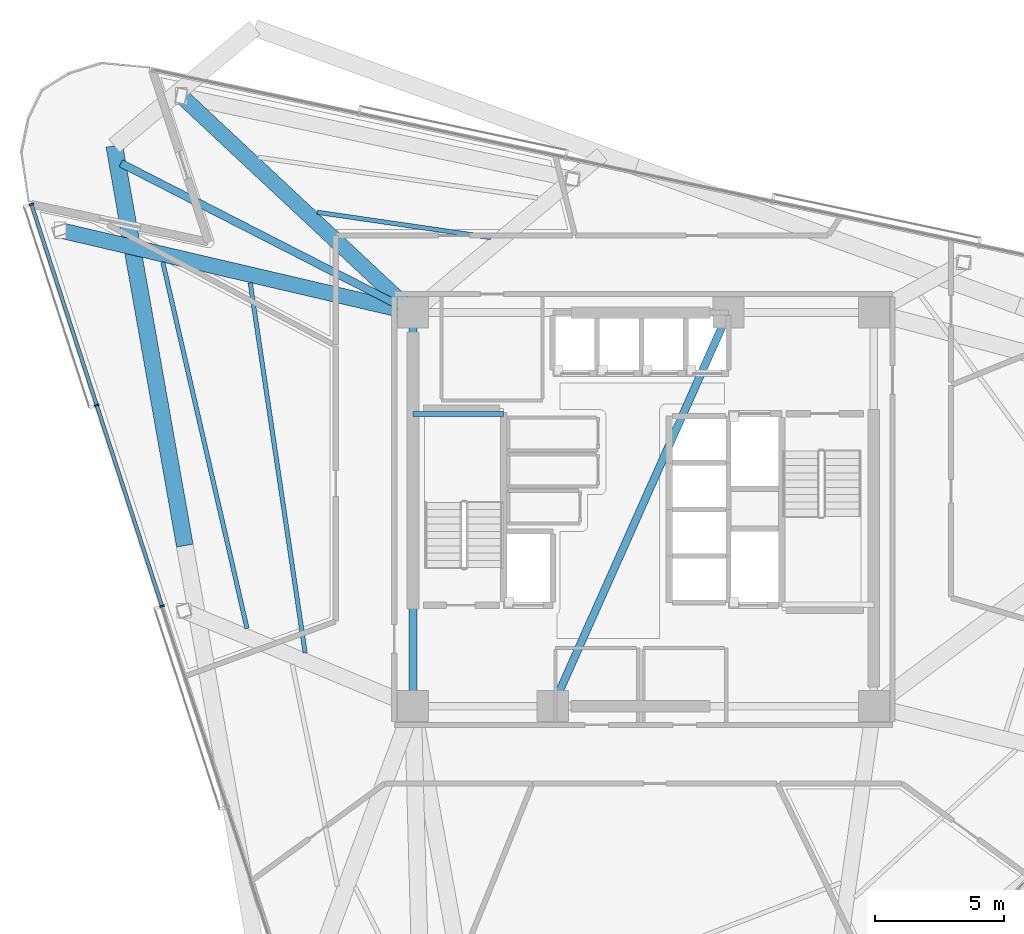
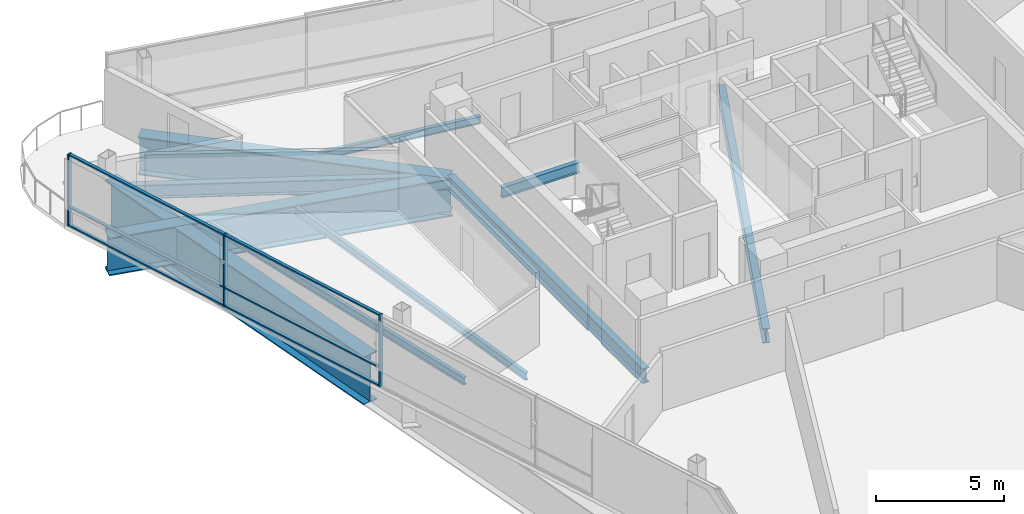
# One storey, part 5 of 17: 10 beams, 9 members, 1 element without a shape of its own.
"""IFC4 building model written with IfcOpenShell, lengths in metres."""

from ifc_helpers import new_model, si_unit, direction, frame, origin, origin_2d, place, context, subcontext, project, spatial, rectangle, i_section, extrude, material, layer, layer_set, material_profile, profile_set, type_object, element, aggregate, save


model = new_model("IFC4")

# Units and contexts
model_context = context("Model", 3, precision=1e-05, world=origin(), true_north=direction((0.0, 1.0)))
body_context = subcontext(model_context, "Body", "Model", "MODEL_VIEW")
ifc_project = project(units=[si_unit("LENGTHUNIT", "METRE"), si_unit("AREAUNIT", "SQUARE_METRE"), si_unit("VOLUMEUNIT", "CUBIC_METRE"), si_unit("PLANEANGLEUNIT", "RADIAN"), si_unit("MASSUNIT", "GRAM", prefix="KILO")], contexts=[model_context])

# Site, building, storey
site_placement = place(None, origin())
site = spatial("IfcSite", under=ifc_project, at=site_placement, CompositionType="ELEMENT")
building_placement = place(site_placement, origin())
building = spatial("IfcBuilding", under=site, at=building_placement, Name="Tharavind Bronze Gate", CompositionType="ELEMENT")
storey_placement = place(building_placement, frame((0.0, 0.0, 196.85009765625)))
storey = spatial("IfcBuildingStorey", under=building, at=storey_placement, Name="L50", CompositionType="ELEMENT", Elevation=196.85009765625)

# Curtain wall, members
ifc_material_1 = material(Name="Anodised Bronze Aluminium", Category="aluminium")
ifc_layer = layer(ifc_material_1, 0.219970703125)
ifc_layer_set = layer_set([ifc_layer], Name="Anodised Bronze Aluminium")
curtain_wall_type = type_object("IfcCurtainWallType", Name="UNITISED CURTAIN WALL MID OFFICE", PredefinedType="USERDEFINED", material=ifc_layer_set)
curtain_wall_placement = place(storey_placement, origin())
curtain_wall = element("IfcCurtainWall", 1, at=curtain_wall_placement, inside=storey, type_object=curtain_wall_type, Name="L50 unitised curtain wall mid office CW-L50-S1", ObjectType="UNITISED CURTAIN WALL", PredefinedType="USERDEFINED")
member_type_1 = type_object("IfcMemberType", Name="CURTAIN WALL BRONZE MULLION 65X180", PredefinedType="MULLION", material=ifc_material_1)
member_1_placement = place(storey_placement, frame((-23.630126953125, 11.780517578125, 0.0), z_axis=(0.0, 0.0, 1.0), x_axis=(0.309016994375, -0.951056516295, 0.0)))
member_1 = element("IfcMember", 2, at=member_1_placement, type_object=member_type_1, Name="CW-L50-S1 mullion 1", PredefinedType="MULLION", context=body_context, shape_type="SweptSolid", body=[
    extrude(rectangle(XDim=0.06494140625, YDim=0.179931640625, at=origin_2d()), origin(), (0.0, 0.0, 1.0), 3.419921875),
])
member_2_placement = place(storey_placement, frame((-21.10986328125, 4.02392578125, 0.0), z_axis=(0.0, 0.0, 1.0), x_axis=(0.309016994375, -0.951056516295, 0.0)))
member_2 = element("IfcMember", 3, at=member_2_placement, type_object=member_type_1, Name="CW-L50-S1 mullion 2", PredefinedType="MULLION", context=body_context, shape_type="SweptSolid", body=[
    extrude(rectangle(XDim=0.06494140625, YDim=0.179931640625, at=origin_2d()), origin(), (0.0, 0.0, 1.0), 3.419921875),
])
member_3_placement = place(storey_placement, frame((-18.589599609375, -3.732666015625, 0.0), z_axis=(0.0, 0.0, 1.0), x_axis=(0.309016994375, -0.951056516295, 0.0)))
member_3 = element("IfcMember", 4, at=member_3_placement, type_object=member_type_1, Name="CW-L50-S1 mullion 3", PredefinedType="MULLION", context=body_context, shape_type="SweptSolid", body=[
    extrude(rectangle(XDim=0.06494140625, YDim=0.179931640625, at=origin_2d()), origin(), (0.0, 0.0, 1.0), 3.419921875),
])
member_type_2 = type_object("IfcMemberType", Name="CURTAIN WALL BRONZE TRANSOM 65X140", PredefinedType="USERDEFINED", material=ifc_material_1)
member_4_placement = place(storey_placement, frame((-22.3701171875, 7.902099609375, 0.0), z_axis=(0.0, 0.0, 1.0), x_axis=(0.309016994375, -0.951056516295, 0.0)))
member_4 = element("IfcMember", 5, at=member_4_placement, type_object=member_type_2, Name="CW-L50-S1 transom TB1", ObjectType="TRANSOM", PredefinedType="USERDEFINED", context=body_context, shape_type="SweptSolid", body=[
    extrude(rectangle(XDim=8.102783203125, YDim=0.139892578125, at=origin_2d()), origin(), (0.0, 0.0, 1.0), 0.06494140625),
])
member_5_placement = place(storey_placement, frame((-22.3701171875, 7.902099609375, 0.867431640625), z_axis=(0.0, 0.0, 1.0), x_axis=(0.309016994375, -0.951056516295, 0.0)))
member_5 = element("IfcMember", 6, at=member_5_placement, type_object=member_type_2, Name="CW-L50-S1 transom TS1", ObjectType="TRANSOM", PredefinedType="USERDEFINED", context=body_context, shape_type="SweptSolid", body=[
    extrude(rectangle(XDim=8.102783203125, YDim=0.139892578125, at=origin_2d()), origin(), (0.0, 0.0, 1.0), 0.06494140625),
])
member_6_placement = place(storey_placement, frame((-22.3701171875, 7.902099609375, 3.35498046875), z_axis=(0.0, 0.0, 1.0), x_axis=(0.309016994375, -0.951056516295, 0.0)))
member_6 = element("IfcMember", 7, at=member_6_placement, type_object=member_type_2, Name="CW-L50-S1 transom TT1", ObjectType="TRANSOM", PredefinedType="USERDEFINED", context=body_context, shape_type="SweptSolid", body=[
    extrude(rectangle(XDim=8.102783203125, YDim=0.139892578125, at=origin_2d()), origin(), (0.0, 0.0, 1.0), 0.06494140625),
])
member_7_placement = place(storey_placement, frame((-19.849853515625, 0.145751953125, 0.0), z_axis=(0.0, 0.0, 1.0), x_axis=(0.309016994375, -0.951056516295, 0.0)))
member_7 = element("IfcMember", 8, at=member_7_placement, type_object=member_type_2, Name="CW-L50-S1 transom TB2", ObjectType="TRANSOM", PredefinedType="USERDEFINED", context=body_context, shape_type="SweptSolid", body=[
    extrude(rectangle(XDim=8.102783203125, YDim=0.139892578125, at=origin_2d()), origin(), (0.0, 0.0, 1.0), 0.06494140625),
])
member_8_placement = place(storey_placement, frame((-19.849853515625, 0.145751953125, 0.867431640625), z_axis=(0.0, 0.0, 1.0), x_axis=(0.309016994375, -0.951056516295, 0.0)))
member_8 = element("IfcMember", 9, at=member_8_placement, type_object=member_type_2, Name="CW-L50-S1 transom TS2", ObjectType="TRANSOM", PredefinedType="USERDEFINED", context=body_context, shape_type="SweptSolid", body=[
    extrude(rectangle(XDim=8.102783203125, YDim=0.139892578125, at=origin_2d()), origin(), (0.0, 0.0, 1.0), 0.06494140625),
])
member_9_placement = place(storey_placement, frame((-19.849853515625, 0.145751953125, 3.35498046875), z_axis=(0.0, 0.0, 1.0), x_axis=(0.309016994375, -0.951056516295, 0.0)))
member_9 = element("IfcMember", 10, at=member_9_placement, type_object=member_type_2, Name="CW-L50-S1 transom TT2", ObjectType="TRANSOM", PredefinedType="USERDEFINED", context=body_context, shape_type="SweptSolid", body=[
    extrude(rectangle(XDim=8.102783203125, YDim=0.139892578125, at=origin_2d()), origin(), (0.0, 0.0, 1.0), 0.06494140625),
])
aggregate(curtain_wall, [member_1, member_2, member_3, member_4, member_5, member_6, member_7, member_8, member_9])

# Beams
ifc_material_2 = material(Name="Steel S355", Category="steel")
ifc_material_profile_1 = material_profile(ifc_material_2, i_section(OverallWidth=0.300048828125, OverallDepth=0.64990234375, WebThickness=0.01611328125, FlangeThickness=0.031005859375, at=origin_2d()), Name="HE650B")
ifc_profile_set_1 = profile_set([ifc_material_profile_1], Name="Steel S355")
beam_type_1 = type_object("IfcBeamType", Name="PRIMARY GIRDER HE650B", PredefinedType="USERDEFINED", material=ifc_profile_set_1)
beam_1_placement = place(storey_placement, frame((-8.89990234375, 7.60009765625, -0.51513671875), z_axis=(-0.890281411762, 0.455410812202, 0.0), x_axis=(-0.455410812202, -0.890281411762, 0.0)))
element("IfcBeam", 11, at=beam_1_placement, inside=storey, type_object=beam_type_1, Name="L50 primary girder he650b BM-L50-BLCSB", ObjectType="GIRDER", PredefinedType="USERDEFINED", context=body_context, shape_type="SweptSolid", body=[
    extrude(i_section(OverallWidth=0.300048828125, OverallDepth=0.64990234375, WebThickness=0.01611328125, FlangeThickness=0.031005859375, at=origin_2d()), origin(), (0.0, 0.0, 1.0), 12.67041015625),
])
ifc_material_profile_2 = material_profile(ifc_material_2, i_section(OverallWidth=0.199951171875, OverallDepth=0.5, WebThickness=0.01025390625, FlangeThickness=0.01611328125, at=origin_2d()), Name="IPE500")
ifc_profile_set_2 = profile_set([ifc_material_profile_2], Name="Steel S355")
beam_type_2 = type_object("IfcBeamType", Name="PRIMARY GIRDER IPE500", PredefinedType="USERDEFINED", material=ifc_profile_set_2)
beam_2_placement = place(storey_placement, frame((-8.89990234375, 3.679931640625, 1.349853515625), z_axis=(1.0, 0.0, 0.0), x_axis=(0.0, 1.0, 0.0)))
element("IfcBeam", 12, at=beam_2_placement, inside=storey, type_object=beam_type_2, Name="L50 primary girder ipe500 BM-LD-ST1-L50-1", ObjectType="GIRDER", PredefinedType="USERDEFINED", context=body_context, shape_type="SweptSolid", body=[
    extrude(i_section(OverallWidth=0.199951171875, OverallDepth=0.5, WebThickness=0.01025390625, FlangeThickness=0.01611328125, at=origin_2d()), origin(), (0.0, 0.0, 1.0), 3.5),
])
ifc_material_profile_3 = material_profile(ifc_material_2, i_section(OverallWidth=0.300048828125, OverallDepth=0.699951171875, WebThickness=0.01708984375, FlangeThickness=0.031982421875, at=origin_2d()), Name="HE700B")
ifc_profile_set_3 = profile_set([ifc_material_profile_3], Name="Steel S355")
beam_type_3 = type_object("IfcBeamType", Name="RING GIRDER HE700B", PredefinedType="USERDEFINED", material=ifc_profile_set_3)
beam_3_placement = place(storey_placement, frame((-8.89990234375, 7.60009765625, -0.5400390625), z_axis=(0.0, -1.0, 0.0), x_axis=(1.0, 0.0, 0.0)))
element("IfcBeam", 13, at=beam_3_placement, inside=storey, type_object=beam_type_3, Name="L50 ring girder he700b BM-L50-CR6", ObjectType="GIRDER", PredefinedType="USERDEFINED", context=body_context, shape_type="SweptSolid", body=[
    extrude(i_section(OverallWidth=0.300048828125, OverallDepth=0.699951171875, WebThickness=0.01708984375, FlangeThickness=0.031982421875, at=origin_2d()), origin(), (0.0, 0.0, 1.0), 15.2001953125),
])
beam_4_placement = place(storey_placement, frame((-3.5, -7.60009765625, -0.5400390625), z_axis=(0.407361644566, 0.913266932795, 0.0), x_axis=(-0.913266932795, 0.407361644566, 0.0)))
element("IfcBeam", 14, at=beam_4_placement, inside=storey, type_object=beam_type_3, Name="L50 ring girder he700b BM-L50-CR7", ObjectType="GIRDER", PredefinedType="USERDEFINED", context=body_context, shape_type="SweptSolid", body=[
    extrude(i_section(OverallWidth=0.300048828125, OverallDepth=0.699951171875, WebThickness=0.01708984375, FlangeThickness=0.031982421875, at=origin_2d()), origin(), (0.0, 0.0, 1.0), 16.643798828125),
])
ifc_material_profile_4 = material_profile(ifc_material_2, i_section(OverallWidth=0.169921875, OverallDepth=0.360107421875, WebThickness=0.008056640625, FlangeThickness=0.0126953125, at=origin_2d()), Name="IPE360")
ifc_profile_set_4 = profile_set([ifc_material_profile_4], Name="Steel S355")
beam_type_4 = type_object("IfcBeamType", Name="SECONDARY FLOOR JOIST IPE360", PredefinedType="JOIST", material=ifc_profile_set_4)
beam_5_placement = place(storey_placement, frame((-15.183349609375, 8.754150390625, -0.3701171875), z_axis=(0.146733638341, -0.989176040641, 0.0), x_axis=(0.989176040641, 0.146733638341, 0.0)))
element("IfcBeam", 15, at=beam_5_placement, inside=storey, type_object=beam_type_4, Name="L50 secondary floor joist ipe360 BM-L50-JSTA01", PredefinedType="JOIST", context=body_context, shape_type="SweptSolid", body=[
    extrude(i_section(OverallWidth=0.169921875, OverallDepth=0.360107421875, WebThickness=0.008056640625, FlangeThickness=0.0126953125, at=origin_2d()), origin(), (0.0, 0.0, 1.0), 14.4453125),
])
beam_6_placement = place(storey_placement, frame((-18.559326171875, 9.5419921875, -0.3701171875), z_axis=(0.224179969848, -0.974547762359, 0.0), x_axis=(0.974547762359, 0.224179969848, 0.0)))
element("IfcBeam", 16, at=beam_6_placement, inside=storey, type_object=beam_type_4, Name="L50 secondary floor joist ipe360 BM-L50-JSTB01", PredefinedType="JOIST", context=body_context, shape_type="SweptSolid", body=[
    extrude(i_section(OverallWidth=0.169921875, OverallDepth=0.360107421875, WebThickness=0.008056640625, FlangeThickness=0.0126953125, at=origin_2d()), origin(), (0.0, 0.0, 1.0), 14.511474609375),
])
beam_7_placement = place(storey_placement, frame((-5.90380859375, 10.5, -0.3701171875), z_axis=(-0.989581113153, 0.143976458116, 0.0), x_axis=(-0.143976458116, -0.989581113153, 0.0)))
element("IfcBeam", 17, at=beam_7_placement, inside=storey, type_object=beam_type_4, Name="L50 secondary floor joist ipe360 BM-L50-JSTA11", PredefinedType="JOIST", context=body_context, shape_type="SweptSolid", body=[
    extrude(i_section(OverallWidth=0.169921875, OverallDepth=0.360107421875, WebThickness=0.008056640625, FlangeThickness=0.0126953125, at=origin_2d()), origin(), (0.0, 0.0, 1.0), 6.767578125),
])
ifc_material_3 = material(Name="Steel S460", Category="steel")
ifc_material_profile_5 = material_profile(ifc_material_3, i_section(OverallWidth=0.60009765625, OverallDepth=1.800048828125, WebThickness=0.031982421875, FlangeThickness=0.054931640625, at=origin_2d()), Name="PG1800X600")
ifc_profile_set_5 = profile_set([ifc_material_profile_5], Name="Steel S460")
beam_type_5 = type_object("IfcBeamType", Name="TRANSFER GIRDER 1800X600", PredefinedType="USERDEFINED", material=ifc_profile_set_5)
beam_8_placement = place(storey_placement, frame((-8.89990234375, 7.60009765625, -1.090087890625), z_axis=(-0.973844172145, 0.227216919219, 0.0), x_axis=(-0.227216919219, -0.973844172145, 0.0)))
element("IfcBeam", 18, at=beam_8_placement, inside=storey, type_object=beam_type_5, Name="L50 transfer girder 1800x600 BM-L50-XFR01", ObjectType="TRANSFER GIRDER", PredefinedType="USERDEFINED", context=body_context, shape_type="SweptSolid", body=[
    extrude(i_section(OverallWidth=0.60009765625, OverallDepth=1.800048828125, WebThickness=0.031982421875, FlangeThickness=0.054931640625, at=origin_2d()), origin(), (0.0, 0.0, 1.0), 13.981201171875),
])
beam_9_placement = place(storey_placement, frame((-8.89990234375, 7.60009765625, -1.090087890625), z_axis=(-0.730436898887, 0.682980187666, 0.0), x_axis=(-0.682980187666, -0.730436898887, 0.0)))
element("IfcBeam", 19, at=beam_9_placement, inside=storey, type_object=beam_type_5, Name="L50 transfer girder 1800x600 BM-L50-XFR12", ObjectType="TRANSFER GIRDER", PredefinedType="USERDEFINED", context=body_context, shape_type="SweptSolid", body=[
    extrude(i_section(OverallWidth=0.60009765625, OverallDepth=1.800048828125, WebThickness=0.031982421875, FlangeThickness=0.054931640625, at=origin_2d()), origin(), (0.0, 0.0, 1.0), 12.439453125),
])
ifc_material_profile_6 = material_profile(ifc_material_3, i_section(OverallWidth=0.64990234375, OverallDepth=2.300048828125, WebThickness=0.035888671875, FlangeThickness=0.05810546875, at=origin_2d()), Name="PG2300X650")
ifc_profile_set_6 = profile_set([ifc_material_profile_6], Name="Steel S460")
beam_type_6 = type_object("IfcBeamType", Name="TRANSFER GIRDER 2300X650", PredefinedType="USERDEFINED", material=ifc_profile_set_6)
beam_10_placement = place(storey_placement, frame((-20.4326171875, 14.043212890625, -1.340087890625), z_axis=(0.173644998979, -0.984808313495, 0.0), x_axis=(0.984808313495, 0.173644998979, 0.0)))
element("IfcBeam", 20, at=beam_10_placement, inside=storey, type_object=beam_type_6, Name="L50 transfer girder 2300x650 BM-L50-LRG01", ObjectType="TRANSFER GIRDER", PredefinedType="USERDEFINED", context=body_context, shape_type="SweptSolid", body=[
    extrude(i_section(OverallWidth=0.64990234375, OverallDepth=2.300048828125, WebThickness=0.035888671875, FlangeThickness=0.05810546875, at=origin_2d()), origin(), (0.0, 0.0, 1.0), 15.680908203125),
])

save(model, "model.ifc")
